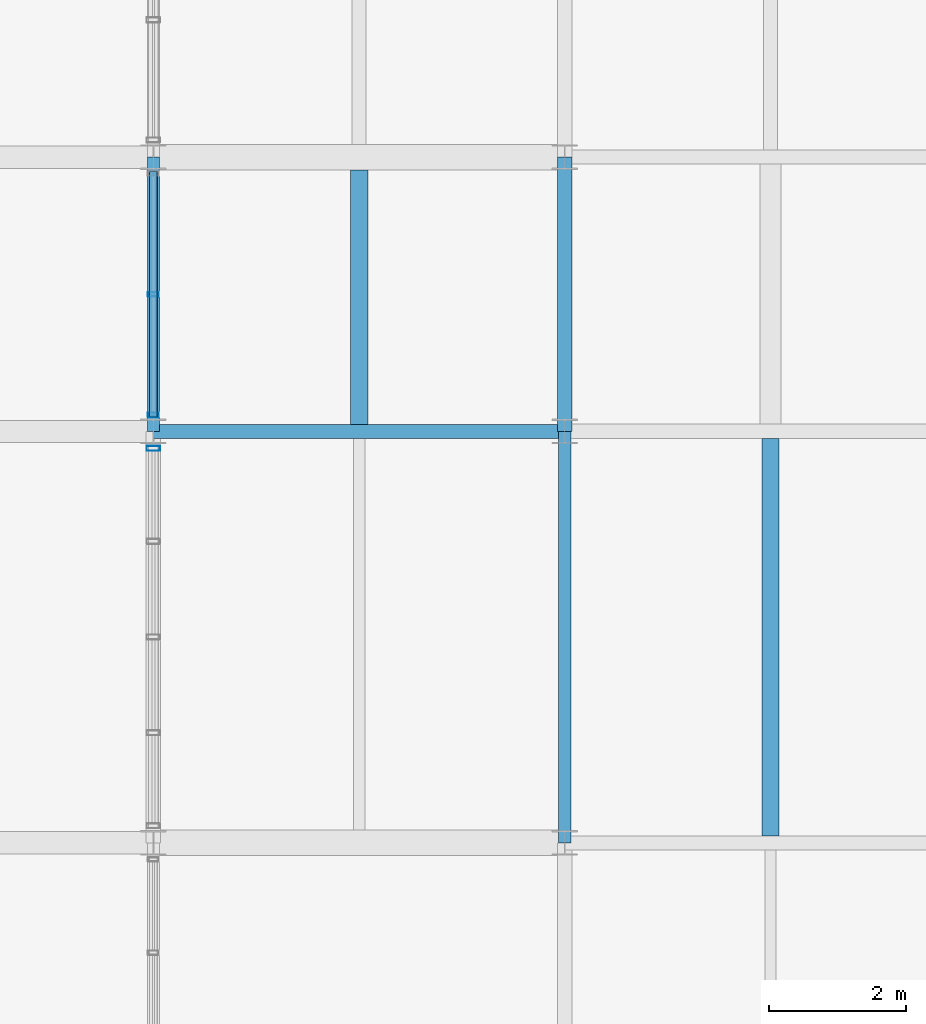
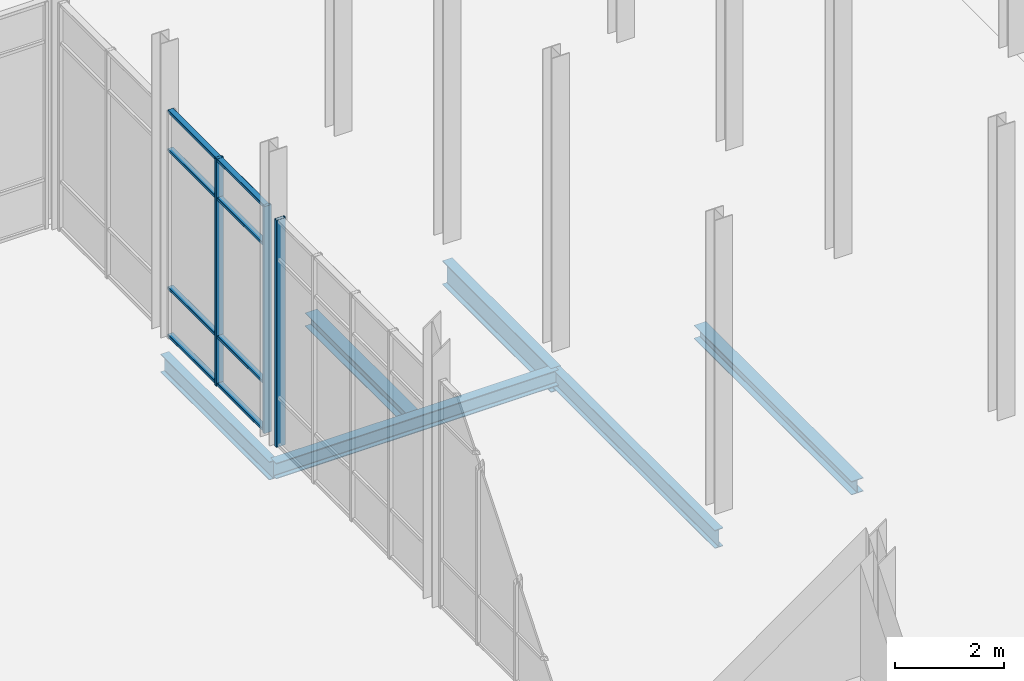
# One storey, part 84 of 140: 7 members, 6 beams, 2 elements without a shape of their own.
"""IFC4 building model written with IfcOpenShell, lengths in metres."""

from ifc_helpers import new_model, si_unit, direction, frame, origin, origin_2d, place, context, subcontext, project, spatial, hollow_rectangle, i_section, extrude, material, material_profile, profile_set, type_object, element, aggregate, save


model = new_model("IFC4")

# Units and contexts
model_context = context("Model", 3, precision=1e-05, world=origin(), true_north=direction((0.0, 1.0)))
body_context = subcontext(model_context, "Body", "Model", "MODEL_VIEW")
ifc_project = project(units=[si_unit("LENGTHUNIT", "METRE"), si_unit("AREAUNIT", "SQUARE_METRE"), si_unit("VOLUMEUNIT", "CUBIC_METRE"), si_unit("PLANEANGLEUNIT", "RADIAN"), si_unit("MASSUNIT", "GRAM", prefix="KILO")], contexts=[model_context])

# Site, building, storey
site_placement = place(None, origin())
site = spatial("IfcSite", under=ifc_project, at=site_placement, CompositionType="ELEMENT")
building_placement = place(site_placement, origin())
building = spatial("IfcBuilding", under=site, at=building_placement, Name="Verrall Gate Interchange", CompositionType="ELEMENT")
storey_placement = place(building_placement, origin())
storey = spatial("IfcBuildingStorey", under=building, at=storey_placement, Name="L01", CompositionType="ELEMENT", Elevation=0.0)

# Beams
ifc_material_1 = material(Name="Structural Steel CSA G40.21 350W", Category="steel")
ifc_material_profile_1 = material_profile(ifc_material_1, i_section(OverallWidth=0.2109375, OverallDepth=0.5390625, WebThickness=0.01171875, FlangeThickness=0.018798828125, FilletRadius=0.013916015625, at=origin_2d()), Name="W530x109")
ifc_profile_set_1 = profile_set([ifc_material_profile_1], Name="Structural Steel CSA G40.21 350W")
beam_type_1 = type_object("IfcBeamType", Name="B-10 Structural Beam W530x109", PredefinedType="BEAM", material=ifc_profile_set_1)
beam_1_placement = place(storey_placement, frame((138.0, 40.0, -0.76953125), z_axis=(0.0, 1.0, 0.0), x_axis=(-1.0, 0.0, 0.0)))
element("IfcBeam", 1, at=beam_1_placement, inside=storey, type_object=beam_type_1, Name="L01 Girder BM-L01-1208 (B-10)", PredefinedType="BEAM", context=body_context, shape_type="SweptSolid", body=[
    extrude(i_section(OverallWidth=0.2109375, OverallDepth=0.5390625, WebThickness=0.01171875, FlangeThickness=0.018798828125, FilletRadius=0.013916015625, at=origin_2d()), origin(), (0.0, 0.0, 1.0), 4.0),
])
ifc_material_2 = material(Name="Structural Steel CSA G40.21 350W", Category="steel")
ifc_material_profile_2 = material_profile(ifc_material_2, i_section(OverallWidth=0.178955078125, OverallDepth=0.409912109375, WebThickness=0.0087890625, FlangeThickness=0.014404296875, FilletRadius=0.011962890625, at=origin_2d()), Name="W410x67")
ifc_profile_set_2 = profile_set([ifc_material_profile_2], Name="Structural Steel CSA G40.21 350W")
beam_type_2 = type_object("IfcBeamType", Name="B-12 Structural Beam W410x67", PredefinedType="BEAM", material=ifc_profile_set_2)
beam_2_placement = place(storey_placement, frame((132.0, 40.0, -0.705078125), z_axis=(0.0, 1.0, 0.0), x_axis=(-1.0, 0.0, 0.0)))
element("IfcBeam", 2, at=beam_2_placement, inside=storey, type_object=beam_type_2, Name="L01 Girder BM-L01-1200 (B-12)", PredefinedType="BEAM", context=body_context, shape_type="SweptSolid", body=[
    extrude(i_section(OverallWidth=0.178955078125, OverallDepth=0.409912109375, WebThickness=0.0087890625, FlangeThickness=0.014404296875, FilletRadius=0.011962890625, at=origin_2d()), origin(), (0.0, 0.0, 1.0), 4.0),
])
beam_3_placement = place(storey_placement, frame((138.0, 34.0, -0.705078125), z_axis=(0.0, 1.0, 0.0), x_axis=(-1.0, 0.0, 0.0)))
element("IfcBeam", 3, at=beam_3_placement, inside=storey, type_object=beam_type_2, Name="L01 Girder BM-L01-1207 (B-12)", PredefinedType="BEAM", context=body_context, shape_type="SweptSolid", body=[
    extrude(i_section(OverallWidth=0.178955078125, OverallDepth=0.409912109375, WebThickness=0.0087890625, FlangeThickness=0.014404296875, FilletRadius=0.011962890625, at=origin_2d()), origin(), (0.0, 0.0, 1.0), 6.0),
])
ifc_material_3 = material(Name="Structural Steel CSA G40.21 350W", Category="steel")
ifc_material_profile_3 = material_profile(ifc_material_3, i_section(OverallWidth=0.205078125, OverallDepth=0.35400390625, WebThickness=0.009521484375, FlangeThickness=0.016845703125, FilletRadius=0.012939453125, at=origin_2d()), Name="W360x79")
ifc_profile_set_3 = profile_set([ifc_material_profile_3], Name="Structural Steel CSA G40.21 350W")
beam_type_3 = type_object("IfcBeamType", Name="B-14 Structural Beam W360x79", PredefinedType="BEAM", material=ifc_profile_set_3)
beam_4_placement = place(storey_placement, frame((132.0, 40.0, -0.677001953125), z_axis=(1.0, 0.0, 0.0), x_axis=(0.0, 1.0, 0.0)))
element("IfcBeam", 4, at=beam_4_placement, inside=storey, type_object=beam_type_3, Name="L01 Girder BM-L01-0884 (B-14)", PredefinedType="BEAM", context=body_context, shape_type="SweptSolid", body=[
    extrude(i_section(OverallWidth=0.205078125, OverallDepth=0.35400390625, WebThickness=0.009521484375, FlangeThickness=0.016845703125, FilletRadius=0.012939453125, at=origin_2d()), origin(), (0.0, 0.0, 1.0), 6.0),
])

# Curtain wall, members
ifc_material_4 = material(Name="Thermally Broken Anodized Aluminium Curtain Wall Framing", Category="aluminium")
curtain_wall_type_1 = type_object("IfcCurtainWallType", Name="CW-05 Unitized Curtain Wall 3631x5100", PredefinedType="NOTDEFINED", material=ifc_material_4)
curtain_wall_1_placement = place(storey_placement, origin())
curtain_wall_1 = element("IfcCurtainWall", 5, at=curtain_wall_1_placement, inside=storey, type_object=curtain_wall_type_1, Name="L01 Unitized Curtain Wall CW-L01-046", PredefinedType="NOTDEFINED")
ifc_material_5 = material(Name="Thermally Broken Anodized Aluminium Curtain Wall Framing", Category="aluminium")
ifc_material_profile_4 = material_profile(ifc_material_5, hollow_rectangle(XDim=0.06494140625, YDim=0.159912109375, WallThickness=0.00390625, InnerFilletRadius=0.00390625, OuterFilletRadius=0.008056640625, at=origin_2d()), Name="CWM160x65x4")
ifc_profile_set_4 = profile_set([ifc_material_profile_4], Name="Thermally Broken Anodized Aluminium Curtain Wall Framing")
member_type_1 = type_object("IfcMemberType", Name="CM-01 Curtain Mullion CWM160x65x4", PredefinedType="MULLION", material=ifc_profile_set_4)
member_1_placement = place(storey_placement, frame((132.0, 42.0, 0.0), z_axis=(0.0, 0.0, 1.0), x_axis=(0.0, -1.0, 0.0)))
member_1 = element("IfcMember", 6, at=member_1_placement, type_object=member_type_1, Name="CW-L01-046 Mullion 2", PredefinedType="MULLION", context=body_context, shape_type="SweptSolid", body=[
    extrude(hollow_rectangle(XDim=0.06494140625, YDim=0.159912109375, WallThickness=0.00390625, InnerFilletRadius=0.00390625, OuterFilletRadius=0.008056640625, at=origin_2d()), origin(), (0.0, 0.0, 1.0), 5.10009765625),
])
member_2_placement = place(storey_placement, frame((132.0, 40.242431640625, 0.0), z_axis=(0.0, 0.0, 1.0), x_axis=(0.0, -1.0, 0.0)))
member_2 = element("IfcMember", 7, at=member_2_placement, type_object=member_type_1, Name="CW-L01-046 Mullion 3", PredefinedType="MULLION", context=body_context, shape_type="SweptSolid", body=[
    extrude(hollow_rectangle(XDim=0.06494140625, YDim=0.159912109375, WallThickness=0.00390625, InnerFilletRadius=0.00390625, OuterFilletRadius=0.008056640625, at=origin_2d()), origin(), (0.0, 0.0, 1.0), 5.10009765625),
])

# Curtain wall, member
ifc_material_6 = material(Name="Thermally Broken Anodized Aluminium Curtain Wall Framing", Category="aluminium")
curtain_wall_type_2 = type_object("IfcCurtainWallType", Name="CW-04 Unitized Curtain Wall 5631x5100", PredefinedType="NOTDEFINED", material=ifc_material_6)
curtain_wall_2_placement = place(storey_placement, origin())
curtain_wall_2 = element("IfcCurtainWall", 8, at=curtain_wall_2_placement, inside=storey, type_object=curtain_wall_type_2, Name="L01 Unitized Curtain Wall CW-L01-047", PredefinedType="NOTDEFINED")
ifc_material_7 = material(Name="Thermally Broken Anodized Aluminium Curtain Wall Framing", Category="aluminium")
ifc_material_profile_5 = material_profile(ifc_material_7, hollow_rectangle(XDim=0.074951171875, YDim=0.199951171875, WallThickness=0.0048828125, InnerFilletRadius=0.0048828125, OuterFilletRadius=0.010009765625, at=origin_2d()), Name="CWM200x75x5")
ifc_profile_set_5 = profile_set([ifc_material_profile_5], Name="Thermally Broken Anodized Aluminium Curtain Wall Framing")
member_type_2 = type_object("IfcMemberType", Name="CM-02 Curtain Mullion CWM200x75x5", PredefinedType="MULLION", material=ifc_profile_set_5)
member_3_placement = place(storey_placement, frame((132.0, 39.75244140625, 0.0), z_axis=(0.0, 0.0, 1.0), x_axis=(0.0, -1.0, 0.0)))
member_3 = element("IfcMember", 9, at=member_3_placement, type_object=member_type_2, Name="CW-L01-047 Mullion 1", PredefinedType="MULLION", context=body_context, shape_type="SweptSolid", body=[
    extrude(hollow_rectangle(XDim=0.074951171875, YDim=0.199951171875, WallThickness=0.0048828125, InnerFilletRadius=0.0048828125, OuterFilletRadius=0.010009765625, at=origin_2d()), origin(), (0.0, 0.0, 1.0), 5.10009765625),
])
aggregate(curtain_wall_2, [member_3])

# Member
ifc_material_8 = material(Name="Thermally Broken Anodized Aluminium Curtain Wall Framing", Category="aluminium")
ifc_material_profile_6 = material_profile(ifc_material_8, hollow_rectangle(XDim=0.1201171875, YDim=0.06494140625, WallThickness=0.00390625, InnerFilletRadius=0.00390625, OuterFilletRadius=0.008056640625, at=origin_2d()), Name="CWT120x65x4")
ifc_profile_set_6 = profile_set([ifc_material_profile_6], Name="Thermally Broken Anodized Aluminium Curtain Wall Framing")
member_type_3 = type_object("IfcMemberType", Name="CT-01 Curtain Transom CWT120x65x4", PredefinedType="USERDEFINED", material=ifc_profile_set_6)
member_4_placement = place(storey_placement, frame((132.0, 43.7900390625, 0.032470703125), z_axis=(0.0, -1.0, 0.0), x_axis=(1.0, 0.0, 0.0)))
member_4 = element("IfcMember", 10, at=member_4_placement, type_object=member_type_3, Name="CW-L01-046 Transom 1", ObjectType="TRANSOM", PredefinedType="USERDEFINED", context=body_context, shape_type="SweptSolid", body=[
    extrude(hollow_rectangle(XDim=0.1201171875, YDim=0.06494140625, WallThickness=0.00390625, InnerFilletRadius=0.00390625, OuterFilletRadius=0.008056640625, at=origin_2d()), origin(), (0.0, 0.0, 1.0), 3.580078125),
])

member_5_placement = place(storey_placement, frame((132.0, 43.7900390625, 1.10009765625), z_axis=(0.0, -1.0, 0.0), x_axis=(1.0, 0.0, 0.0)))
member_5 = element("IfcMember", 11, at=member_5_placement, type_object=member_type_3, Name="CW-L01-046 Transom 2", ObjectType="TRANSOM", PredefinedType="USERDEFINED", context=body_context, shape_type="SweptSolid", body=[
    extrude(hollow_rectangle(XDim=0.1201171875, YDim=0.06494140625, WallThickness=0.00390625, InnerFilletRadius=0.00390625, OuterFilletRadius=0.008056640625, at=origin_2d()), origin(), (0.0, 0.0, 1.0), 3.580078125),
])

member_6_placement = place(storey_placement, frame((132.0, 43.7900390625, 4.199951171875), z_axis=(0.0, -1.0, 0.0), x_axis=(1.0, 0.0, 0.0)))
member_6 = element("IfcMember", 12, at=member_6_placement, type_object=member_type_3, Name="CW-L01-046 Transom 3", ObjectType="TRANSOM", PredefinedType="USERDEFINED", context=body_context, shape_type="SweptSolid", body=[
    extrude(hollow_rectangle(XDim=0.1201171875, YDim=0.06494140625, WallThickness=0.00390625, InnerFilletRadius=0.00390625, OuterFilletRadius=0.008056640625, at=origin_2d()), origin(), (0.0, 0.0, 1.0), 3.580078125),
])

member_7_placement = place(storey_placement, frame((132.0, 43.7900390625, 5.0673828125), z_axis=(0.0, -1.0, 0.0), x_axis=(1.0, 0.0, 0.0)))
member_7 = element("IfcMember", 13, at=member_7_placement, type_object=member_type_3, Name="CW-L01-046 Transom 4", ObjectType="TRANSOM", PredefinedType="USERDEFINED", context=body_context, shape_type="SweptSolid", body=[
    extrude(hollow_rectangle(XDim=0.1201171875, YDim=0.06494140625, WallThickness=0.00390625, InnerFilletRadius=0.00390625, OuterFilletRadius=0.008056640625, at=origin_2d()), origin(), (0.0, 0.0, 1.0), 3.580078125),
])

aggregate(curtain_wall_1, [member_1, member_2, member_4, member_5, member_6, member_7])

# Beams
ifc_material_9 = material(Name="Structural Steel CSA G40.21 350W", Category="steel")
ifc_material_profile_7 = material_profile(ifc_material_9, i_section(OverallWidth=0.25390625, OverallDepth=0.305908203125, WebThickness=0.0087890625, FlangeThickness=0.0146484375, FilletRadius=0.012939453125, at=origin_2d()), Name="W310x79")
ifc_profile_set_7 = profile_set([ifc_material_profile_7], Name="Structural Steel CSA G40.21 350W")
beam_type_4 = type_object("IfcBeamType", Name="J-03 Floor Joist W310x79", PredefinedType="JOIST", material=ifc_profile_set_7)
beam_5_placement = place(storey_placement, frame((141.0, 34.1025390625, -0.653076171875), z_axis=(0.0, 1.0, 0.0), x_axis=(-1.0, 0.0, 0.0)))
element("IfcBeam", 14, at=beam_5_placement, inside=storey, type_object=beam_type_4, Name="L01 Secondary Floor Joist JST-L01-1359", PredefinedType="JOIST", context=body_context, shape_type="SweptSolid", body=[
    extrude(i_section(OverallWidth=0.25390625, OverallDepth=0.305908203125, WebThickness=0.0087890625, FlangeThickness=0.0146484375, FilletRadius=0.012939453125, at=origin_2d()), origin(), (0.0, 0.0, 1.0), 5.7919921875),
])
beam_6_placement = place(storey_placement, frame((135.0, 40.1025390625, -0.653076171875), z_axis=(0.0, 1.0, 0.0), x_axis=(-1.0, 0.0, 0.0)))
element("IfcBeam", 15, at=beam_6_placement, inside=storey, type_object=beam_type_4, Name="L01 Secondary Floor Joist JST-L01-1375", PredefinedType="JOIST", context=body_context, shape_type="SweptSolid", body=[
    extrude(i_section(OverallWidth=0.25390625, OverallDepth=0.305908203125, WebThickness=0.0087890625, FlangeThickness=0.0146484375, FilletRadius=0.012939453125, at=origin_2d()), origin(), (0.0, 0.0, 1.0), 3.712890625),
])

save(model, "model.ifc")
